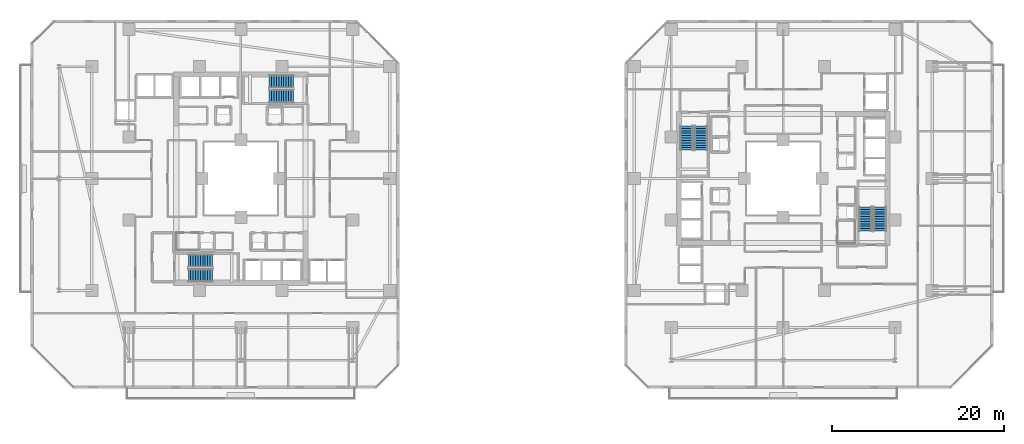
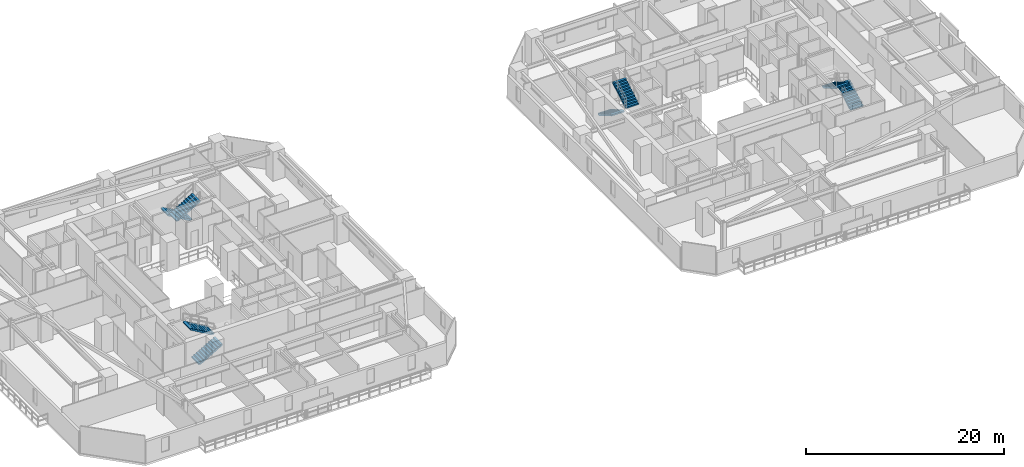
# One storey, part 26 of 33: 8 stair flights, 4 elements without a shape of their own.
"""IFC4 building model written with IfcOpenShell, lengths in metres."""

from ifc_helpers import new_model, si_unit, direction, frame, origin, place, context, subcontext, project, spatial, polyline, outline, extrude, material, type_object, element, aggregate, save


model = new_model("IFC4")

# Units and contexts
model_context = context("Model", 3, precision=1e-05, world=origin(), true_north=direction((0.0, 1.0)))
body_context = subcontext(model_context, "Body", "Model", "MODEL_VIEW")
ifc_project = project(units=[si_unit("LENGTHUNIT", "METRE"), si_unit("AREAUNIT", "SQUARE_METRE"), si_unit("VOLUMEUNIT", "CUBIC_METRE"), si_unit("PLANEANGLEUNIT", "RADIAN"), si_unit("MASSUNIT", "GRAM", prefix="KILO")], contexts=[model_context])

# Site, building, storey
site_placement = place(None, origin())
site = spatial("IfcSite", under=ifc_project, at=site_placement, CompositionType="ELEMENT")
building_placement = place(site_placement, origin())
building = spatial("IfcBuilding", under=site, at=building_placement, Name="Thornwick Lancets Civic Towers", CompositionType="ELEMENT")
storey_placement = place(building_placement, frame((0.0, 0.0, 42.300048828125)))
storey = spatial("IfcBuildingStorey", under=building, at=storey_placement, Name="L10", CompositionType="ELEMENT", Elevation=42.300048828125)

# Stair, stair flights
ifc_material = material(Name="Concrete C40/50", Category="concrete")
stair_type = type_object("IfcStairType", Name="STAIR_DL_3600", PredefinedType="HALF_TURN_STAIR", material=ifc_material)
stair_1_placement = place(storey_placement, origin())
stair_1 = element("IfcStair", 1, at=stair_1_placement, inside=storey, type_object=stair_type, Name="L10 Tower A South Exit Stair ST-A1", PredefinedType="HALF_TURN_STAIR")
stair_flight_type = type_object("IfcStairFlightType", Name="FLIGHT_3600", PredefinedType="STRAIGHT", material=ifc_material)
stair_flight_1_placement = place(storey_placement, frame((19.39990234375, 15.75, 0.0), z_axis=(0.0, 0.0, 1.0), x_axis=(1.0, 0.0, 0.0)))
stair_flight_1 = element("IfcStairFlight", 2, at=stair_flight_1_placement, type_object=stair_flight_type, Name="ST-A1 flight 1", NumberOfRisers=11, NumberOfTreads=10, PredefinedType="STRAIGHT", RiserHeight=0.163636364, TreadLength=0.28, context=body_context, shape_type="SweptSolid", body=[
    extrude(outline(polyline([(0.0, 0.0), (0.0, 0.16357421875), (0.280029296875, 0.16357421875), (0.280029296875, 0.327392578125), (0.56005859375, 0.327392578125), (0.56005859375, 0.490966796875), (0.840087890625, 0.490966796875), (0.840087890625, 0.654541015625), (1.1201171875, 0.654541015625), (1.1201171875, 0.818115234375), (1.39990234375, 0.818115234375), (1.39990234375, 0.98193359375), (1.679931640625, 0.98193359375), (1.679931640625, 1.1455078125), (1.9599609375, 1.1455078125), (1.9599609375, 1.30908203125), (2.239990234375, 1.30908203125), (2.239990234375, 1.47265625), (2.52001953125, 1.47265625), (2.52001953125, 1.636474609375), (2.800048828125, 1.636474609375), (2.800048828125, 1.800048828125), (2.800048828125, 1.462646484375), (0.297119140625, 0.0), (0.0, 0.0)])), frame((0.0, 0.75, 0.0), z_axis=(0.0, -1.0, 0.0), x_axis=(1.0, 0.0, 0.0)), (0.0, 0.0, 1.0), 1.5),
])
stair_flight_2_placement = place(storey_placement, frame((22.199951171875, 17.449951171875, 1.800048828125), z_axis=(0.0, 0.0, 1.0), x_axis=(-1.0, 0.0, 0.0)))
stair_flight_2 = element("IfcStairFlight", 3, at=stair_flight_2_placement, type_object=stair_flight_type, Name="ST-A1 flight 2", NumberOfRisers=11, NumberOfTreads=10, PredefinedType="STRAIGHT", RiserHeight=0.163636364, TreadLength=0.28, context=body_context, shape_type="SweptSolid", body=[
    extrude(outline(polyline([(0.0, 0.0), (0.0, 0.16357421875), (0.280029296875, 0.16357421875), (0.280029296875, 0.327392578125), (0.56005859375, 0.327392578125), (0.56005859375, 0.490966796875), (0.840087890625, 0.490966796875), (0.840087890625, 0.654541015625), (1.1201171875, 0.654541015625), (1.1201171875, 0.818115234375), (1.39990234375, 0.818115234375), (1.39990234375, 0.98193359375), (1.679931640625, 0.98193359375), (1.679931640625, 1.1455078125), (1.9599609375, 1.1455078125), (1.9599609375, 1.30908203125), (2.239990234375, 1.30908203125), (2.239990234375, 1.47265625), (2.52001953125, 1.47265625), (2.52001953125, 1.636474609375), (2.800048828125, 1.636474609375), (2.800048828125, 1.800048828125), (2.800048828125, 1.462646484375), (0.297119140625, 0.0), (0.0, 0.0)])), frame((0.0, 0.75, 0.0), z_axis=(0.0, -1.0, 0.0), x_axis=(1.0, 0.0, 0.0)), (0.0, 0.0, 1.0), 1.5),
])
aggregate(stair_1, [stair_flight_1, stair_flight_2])

stair_2_placement = place(storey_placement, origin())
stair_2 = element("IfcStair", 4, at=stair_2_placement, inside=storey, type_object=stair_type, Name="L10 Tower A North Exit Stair ST-A2", PredefinedType="HALF_TURN_STAIR")
stair_flight_3_placement = place(storey_placement, frame((31.60009765625, 38.25, 0.0), z_axis=(0.0, 0.0, 1.0), x_axis=(-1.0, 0.0, 0.0)))
stair_flight_3 = element("IfcStairFlight", 5, at=stair_flight_3_placement, type_object=stair_flight_type, Name="ST-A2 flight 1", NumberOfRisers=11, NumberOfTreads=10, PredefinedType="STRAIGHT", RiserHeight=0.163636364, TreadLength=0.28, context=body_context, shape_type="SweptSolid", body=[
    extrude(outline(polyline([(0.0, 0.0), (0.0, 0.16357421875), (0.280029296875, 0.16357421875), (0.280029296875, 0.327392578125), (0.56005859375, 0.327392578125), (0.56005859375, 0.490966796875), (0.840087890625, 0.490966796875), (0.840087890625, 0.654541015625), (1.1201171875, 0.654541015625), (1.1201171875, 0.818115234375), (1.39990234375, 0.818115234375), (1.39990234375, 0.98193359375), (1.679931640625, 0.98193359375), (1.679931640625, 1.1455078125), (1.9599609375, 1.1455078125), (1.9599609375, 1.30908203125), (2.239990234375, 1.30908203125), (2.239990234375, 1.47265625), (2.52001953125, 1.47265625), (2.52001953125, 1.636474609375), (2.800048828125, 1.636474609375), (2.800048828125, 1.800048828125), (2.800048828125, 1.462646484375), (0.297119140625, 0.0), (0.0, 0.0)])), frame((0.0, 0.75, 0.0), z_axis=(0.0, -1.0, 0.0), x_axis=(1.0, 0.0, 0.0)), (0.0, 0.0, 1.0), 1.5),
])
stair_flight_4_placement = place(storey_placement, frame((28.800048828125, 36.550048828125, 1.800048828125), z_axis=(0.0, 0.0, 1.0), x_axis=(1.0, 0.0, 0.0)))
stair_flight_4 = element("IfcStairFlight", 6, at=stair_flight_4_placement, type_object=stair_flight_type, Name="ST-A2 flight 2", NumberOfRisers=11, NumberOfTreads=10, PredefinedType="STRAIGHT", RiserHeight=0.163636364, TreadLength=0.28, context=body_context, shape_type="SweptSolid", body=[
    extrude(outline(polyline([(0.0, 0.0), (0.0, 0.16357421875), (0.280029296875, 0.16357421875), (0.280029296875, 0.327392578125), (0.56005859375, 0.327392578125), (0.56005859375, 0.490966796875), (0.840087890625, 0.490966796875), (0.840087890625, 0.654541015625), (1.1201171875, 0.654541015625), (1.1201171875, 0.818115234375), (1.39990234375, 0.818115234375), (1.39990234375, 0.98193359375), (1.679931640625, 0.98193359375), (1.679931640625, 1.1455078125), (1.9599609375, 1.1455078125), (1.9599609375, 1.30908203125), (2.239990234375, 1.30908203125), (2.239990234375, 1.47265625), (2.52001953125, 1.47265625), (2.52001953125, 1.636474609375), (2.800048828125, 1.636474609375), (2.800048828125, 1.800048828125), (2.800048828125, 1.462646484375), (0.297119140625, 0.0), (0.0, 0.0)])), frame((0.0, 0.75, 0.0), z_axis=(0.0, -1.0, 0.0), x_axis=(1.0, 0.0, 0.0)), (0.0, 0.0, 1.0), 1.5),
])
aggregate(stair_2, [stair_flight_3, stair_flight_4])

stair_3_placement = place(storey_placement, origin())
stair_3 = element("IfcStair", 7, at=stair_3_placement, inside=storey, type_object=stair_type, Name="L10 Tower B East Exit Stair ST-B1", PredefinedType="HALF_TURN_STAIR")
stair_flight_5_placement = place(storey_placement, frame((99.75, 20.89990234375, 0.0), z_axis=(0.0, 0.0, 1.0), x_axis=(0.0, 1.0, 0.0)))
stair_flight_5 = element("IfcStairFlight", 8, at=stair_flight_5_placement, type_object=stair_flight_type, Name="ST-B1 flight 1", NumberOfRisers=11, NumberOfTreads=10, PredefinedType="STRAIGHT", RiserHeight=0.163636364, TreadLength=0.28, context=body_context, shape_type="SweptSolid", body=[
    extrude(outline(polyline([(0.0, 0.0), (0.0, 0.16357421875), (0.280029296875, 0.16357421875), (0.280029296875, 0.327392578125), (0.56005859375, 0.327392578125), (0.56005859375, 0.490966796875), (0.840087890625, 0.490966796875), (0.840087890625, 0.654541015625), (1.1201171875, 0.654541015625), (1.1201171875, 0.818115234375), (1.39990234375, 0.818115234375), (1.39990234375, 0.98193359375), (1.679931640625, 0.98193359375), (1.679931640625, 1.1455078125), (1.9599609375, 1.1455078125), (1.9599609375, 1.30908203125), (2.239990234375, 1.30908203125), (2.239990234375, 1.47265625), (2.52001953125, 1.47265625), (2.52001953125, 1.636474609375), (2.800048828125, 1.636474609375), (2.800048828125, 1.800048828125), (2.800048828125, 1.462646484375), (0.297119140625, 0.0), (0.0, 0.0)])), frame((0.0, 0.75, 0.0), z_axis=(0.0, -1.0, 0.0), x_axis=(1.0, 0.0, 0.0)), (0.0, 0.0, 1.0), 1.5),
])
stair_flight_6_placement = place(storey_placement, frame((98.050048828125, 23.699951171875, 1.800048828125), z_axis=(0.0, 0.0, 1.0), x_axis=(0.0, -1.0, 0.0)))
stair_flight_6 = element("IfcStairFlight", 9, at=stair_flight_6_placement, type_object=stair_flight_type, Name="ST-B1 flight 2", NumberOfRisers=11, NumberOfTreads=10, PredefinedType="STRAIGHT", RiserHeight=0.163636364, TreadLength=0.28, context=body_context, shape_type="SweptSolid", body=[
    extrude(outline(polyline([(0.0, 0.0), (0.0, 0.16357421875), (0.280029296875, 0.16357421875), (0.280029296875, 0.327392578125), (0.56005859375, 0.327392578125), (0.56005859375, 0.490966796875), (0.840087890625, 0.490966796875), (0.840087890625, 0.654541015625), (1.1201171875, 0.654541015625), (1.1201171875, 0.818115234375), (1.39990234375, 0.818115234375), (1.39990234375, 0.98193359375), (1.679931640625, 0.98193359375), (1.679931640625, 1.1455078125), (1.9599609375, 1.1455078125), (1.9599609375, 1.30908203125), (2.239990234375, 1.30908203125), (2.239990234375, 1.47265625), (2.52001953125, 1.47265625), (2.52001953125, 1.636474609375), (2.800048828125, 1.636474609375), (2.800048828125, 1.800048828125), (2.800048828125, 1.462646484375), (0.297119140625, 0.0), (0.0, 0.0)])), frame((0.0, 0.75, 0.0), z_axis=(0.0, -1.0, 0.0), x_axis=(1.0, 0.0, 0.0)), (0.0, 0.0, 1.0), 1.5),
])
aggregate(stair_3, [stair_flight_5, stair_flight_6])

stair_4_placement = place(storey_placement, origin())
stair_4 = element("IfcStair", 10, at=stair_4_placement, inside=storey, type_object=stair_type, Name="L10 Tower B West Exit Stair ST-B2", PredefinedType="HALF_TURN_STAIR")
stair_flight_7_placement = place(storey_placement, frame((77.25, 33.10009765625, 0.0), z_axis=(0.0, 0.0, 1.0), x_axis=(0.0, -1.0, 0.0)))
stair_flight_7 = element("IfcStairFlight", 11, at=stair_flight_7_placement, type_object=stair_flight_type, Name="ST-B2 flight 1", NumberOfRisers=11, NumberOfTreads=10, PredefinedType="STRAIGHT", RiserHeight=0.163636364, TreadLength=0.28, context=body_context, shape_type="SweptSolid", body=[
    extrude(outline(polyline([(0.0, 0.0), (0.0, 0.16357421875), (0.280029296875, 0.16357421875), (0.280029296875, 0.327392578125), (0.56005859375, 0.327392578125), (0.56005859375, 0.490966796875), (0.840087890625, 0.490966796875), (0.840087890625, 0.654541015625), (1.1201171875, 0.654541015625), (1.1201171875, 0.818115234375), (1.39990234375, 0.818115234375), (1.39990234375, 0.98193359375), (1.679931640625, 0.98193359375), (1.679931640625, 1.1455078125), (1.9599609375, 1.1455078125), (1.9599609375, 1.30908203125), (2.239990234375, 1.30908203125), (2.239990234375, 1.47265625), (2.52001953125, 1.47265625), (2.52001953125, 1.636474609375), (2.800048828125, 1.636474609375), (2.800048828125, 1.800048828125), (2.800048828125, 1.462646484375), (0.297119140625, 0.0), (0.0, 0.0)])), frame((0.0, 0.75, 0.0), z_axis=(0.0, -1.0, 0.0), x_axis=(1.0, 0.0, 0.0)), (0.0, 0.0, 1.0), 1.5),
])
stair_flight_8_placement = place(storey_placement, frame((78.949951171875, 30.300048828125, 1.800048828125), z_axis=(0.0, 0.0, 1.0), x_axis=(0.0, 1.0, 0.0)))
stair_flight_8 = element("IfcStairFlight", 12, at=stair_flight_8_placement, type_object=stair_flight_type, Name="ST-B2 flight 2", NumberOfRisers=11, NumberOfTreads=10, PredefinedType="STRAIGHT", RiserHeight=0.163636364, TreadLength=0.28, context=body_context, shape_type="SweptSolid", body=[
    extrude(outline(polyline([(0.0, 0.0), (0.0, 0.16357421875), (0.280029296875, 0.16357421875), (0.280029296875, 0.327392578125), (0.56005859375, 0.327392578125), (0.56005859375, 0.490966796875), (0.840087890625, 0.490966796875), (0.840087890625, 0.654541015625), (1.1201171875, 0.654541015625), (1.1201171875, 0.818115234375), (1.39990234375, 0.818115234375), (1.39990234375, 0.98193359375), (1.679931640625, 0.98193359375), (1.679931640625, 1.1455078125), (1.9599609375, 1.1455078125), (1.9599609375, 1.30908203125), (2.239990234375, 1.30908203125), (2.239990234375, 1.47265625), (2.52001953125, 1.47265625), (2.52001953125, 1.636474609375), (2.800048828125, 1.636474609375), (2.800048828125, 1.800048828125), (2.800048828125, 1.462646484375), (0.297119140625, 0.0), (0.0, 0.0)])), frame((0.0, 0.75, 0.0), z_axis=(0.0, -1.0, 0.0), x_axis=(1.0, 0.0, 0.0)), (0.0, 0.0, 1.0), 1.5),
])
aggregate(stair_4, [stair_flight_7, stair_flight_8])

save(model, "model.ifc")
